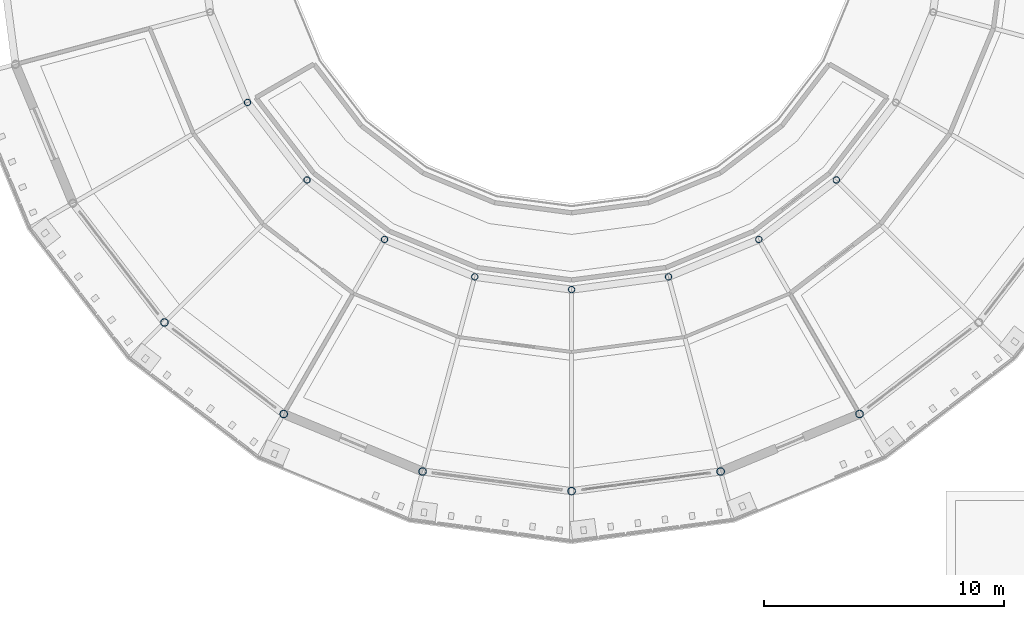
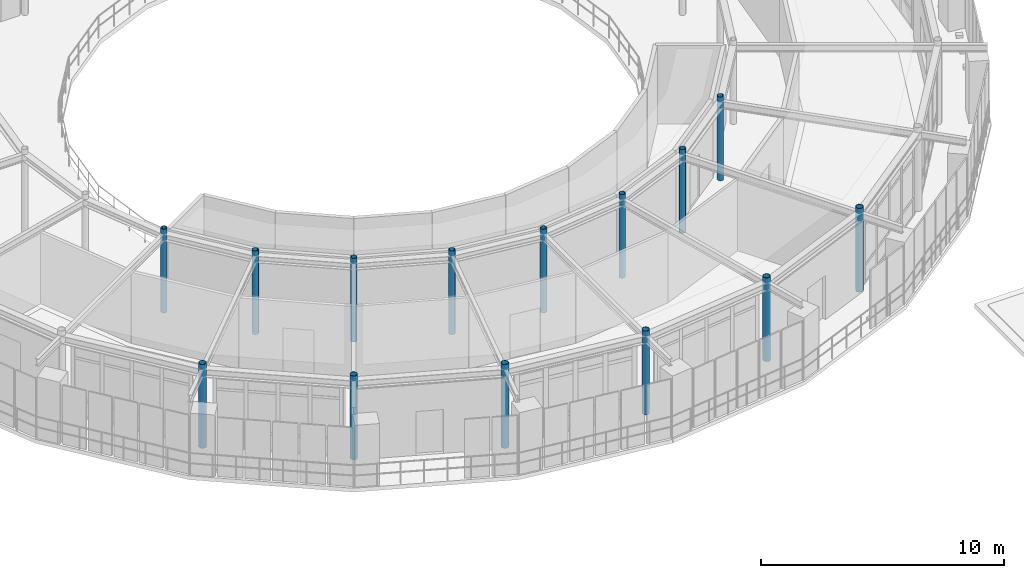
# One storey, part 7 of 90: 14 columns.
"""IFC4 building model written with IfcOpenShell, lengths in metres."""

from ifc_helpers import new_model, si_unit, derived_unit, direction, frame, origin, origin_2d, place, context, subcontext, project, spatial, hollow_circle, extrude, material, material_profile, profile_set, type_object, element, save


model = new_model("IFC4")

# Units and contexts
model_context = context("Model", 3, precision=1e-05, world=origin(), true_north=direction((0.0, 1.0)))
body_context = subcontext(model_context, "Body", "Model", "MODEL_VIEW")
ifc_project = project(units=[si_unit("LENGTHUNIT", "METRE"), si_unit("AREAUNIT", "SQUARE_METRE"), si_unit("VOLUMEUNIT", "CUBIC_METRE"), si_unit("PLANEANGLEUNIT", "RADIAN"), si_unit("MASSUNIT", "GRAM", prefix="KILO"), derived_unit("THERMALTRANSMITTANCEUNIT", [(si_unit("POWERUNIT", "WATT"), 1), (si_unit("AREAUNIT", "SQUARE_METRE"), -1), (si_unit("THERMODYNAMICTEMPERATUREUNIT", "KELVIN"), -1)])], contexts=[model_context])

# Site, building, storey
site_placement = place(None, origin())
site = spatial("IfcSite", under=ifc_project, at=site_placement, CompositionType="ELEMENT")
building_placement = place(site_placement, origin())
building = spatial("IfcBuilding", under=site, at=building_placement, Name="Yasenodar Specialist Clinic", CompositionType="ELEMENT")
storey_placement = place(building_placement, frame((0.0, 0.0, 9.0)))
storey = spatial("IfcBuildingStorey", under=building, at=storey_placement, Name="L02", CompositionType="ELEMENT", Elevation=9.0)

# Columns
ifc_material = material(Name="Steel S355", Category="steel")
ifc_material_profile_1 = material_profile(ifc_material, hollow_circle(Radius=0.136474609375, WallThickness=0.012451171875, at=origin_2d()), Name="CHS 273x12.5")
ifc_profile_set_1 = profile_set([ifc_material_profile_1], Name="Steel S355")
column_type_1 = type_object("IfcColumnType", Name="COL-ST-CHS273", PredefinedType="COLUMN", material=ifc_profile_set_1)
for number, where, z_axis, x_axis, name in (
    (1, (67.489990234375, 51.0, 0.0), (0.0, 0.0, 1.0), (1.0, 0.0, 0.0), "L02 Drum V1 Inner Column 15"),
    (2, (69.968994140625, 47.76904296875, 0.0), (0.0, 0.0, 1.0), (1.0, 0.0, 0.0), "L02 Drum V1 Inner Column 16"),
    (3, (73.199951171875, 45.2900390625, 0.0), (0.0, 0.0, 1.0), (1.0, 0.0, 0.0), "L02 Drum V1 Inner Column 17"),
    (4, (76.96240234375, 43.731689453125, 0.0), (0.0, 0.0, 1.0), (1.0, 0.0, 0.0), "L02 Drum V1 Inner Column 18"),
    (5, (81.0, 43.199951171875, 0.0), (0.0, 0.0, 1.0), (1.0, 0.0, 0.0), "L02 Drum V1 Inner Column 19"),
    (6, (85.03759765625, 43.731689453125, 0.0), (0.0, 0.0, 1.0), (1.0, 0.0, 0.0), "L02 Drum V1 Inner Column 20"),
    (7, (88.800048828125, 45.2900390625, 0.0), (0.0, 0.0, 1.0), (1.0, 0.0, 0.0), "L02 Drum V1 Inner Column 21"),
    (8, (92.031005859375, 47.76904296875, 0.0), (0.0, 0.0, 1.0), (1.0, 0.0, 0.0), "L02 Drum V1 Inner Column 22"),
):
    element("IfcColumn", number, at=place(storey_placement, frame(where, z_axis=z_axis, x_axis=x_axis)), inside=storey, type_object=column_type_1, Name=name, PredefinedType="COLUMN", context=body_context, shape_type="SweptSolid", body=[
        extrude(hollow_circle(Radius=0.136474609375, WallThickness=0.012451171875, at=origin_2d()), origin(), (0.0, 0.0, 1.0), 4.199951171875),
    ])
ifc_material_profile_2 = material_profile(ifc_material, hollow_circle(Radius=0.161865234375, WallThickness=0.01611328125, at=origin_2d()), Name="CHS 323.9x16")
ifc_profile_set_2 = profile_set([ifc_material_profile_2], Name="Steel S355")
column_type_2 = type_object("IfcColumnType", Name="COL-ST-CHS324", PredefinedType="COLUMN", material=ifc_profile_set_2)
for number, where, z_axis, x_axis, name in (
    (9, (64.029296875, 41.829345703125, 0.0), (0.0, 0.0, 1.0), (1.0, 0.0, 0.0), "L02 Drum V1 Outer Column 16"),
    (10, (69.0, 38.015380859375, 0.0), (0.0, 0.0, 1.0), (1.0, 0.0, 0.0), "L02 Drum V1 Outer Column 17"),
    (11, (74.788330078125, 35.617919921875, 0.0), (0.0, 0.0, 1.0), (1.0, 0.0, 0.0), "L02 Drum V1 Outer Column 18"),
    (12, (81.0, 34.800048828125, 0.0), (0.0, 0.0, 1.0), (1.0, 0.0, 0.0), "L02 Drum V1 Outer Column 19"),
    (13, (87.211669921875, 35.617919921875, 0.0), (0.0, 0.0, 1.0), (1.0, 0.0, 0.0), "L02 Drum V1 Outer Column 20"),
    (14, (93.0, 38.015380859375, 0.0), (0.0, 0.0, 1.0), (1.0, 0.0, 0.0), "L02 Drum V1 Outer Column 21"),
):
    element("IfcColumn", number, at=place(storey_placement, frame(where, z_axis=z_axis, x_axis=x_axis)), inside=storey, type_object=column_type_2, Name=name, PredefinedType="COLUMN", context=body_context, shape_type="SweptSolid", body=[
        extrude(hollow_circle(Radius=0.161865234375, WallThickness=0.01611328125, at=origin_2d()), origin(), (0.0, 0.0, 1.0), 4.199951171875),
    ])

save(model, "model.ifc")
